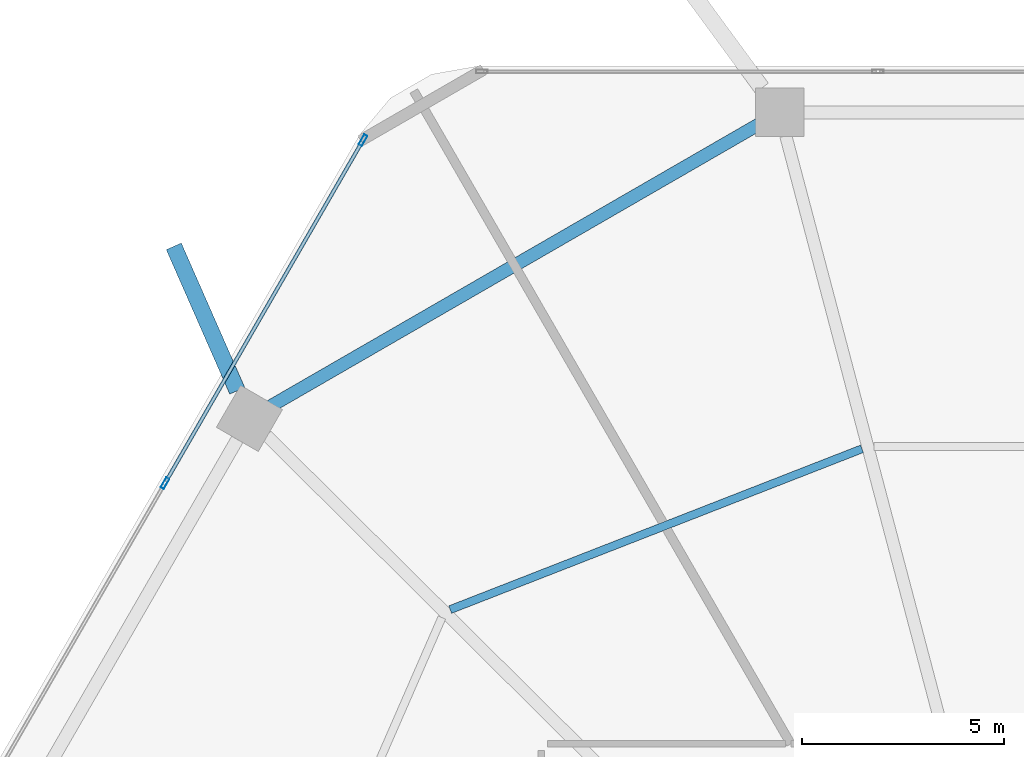
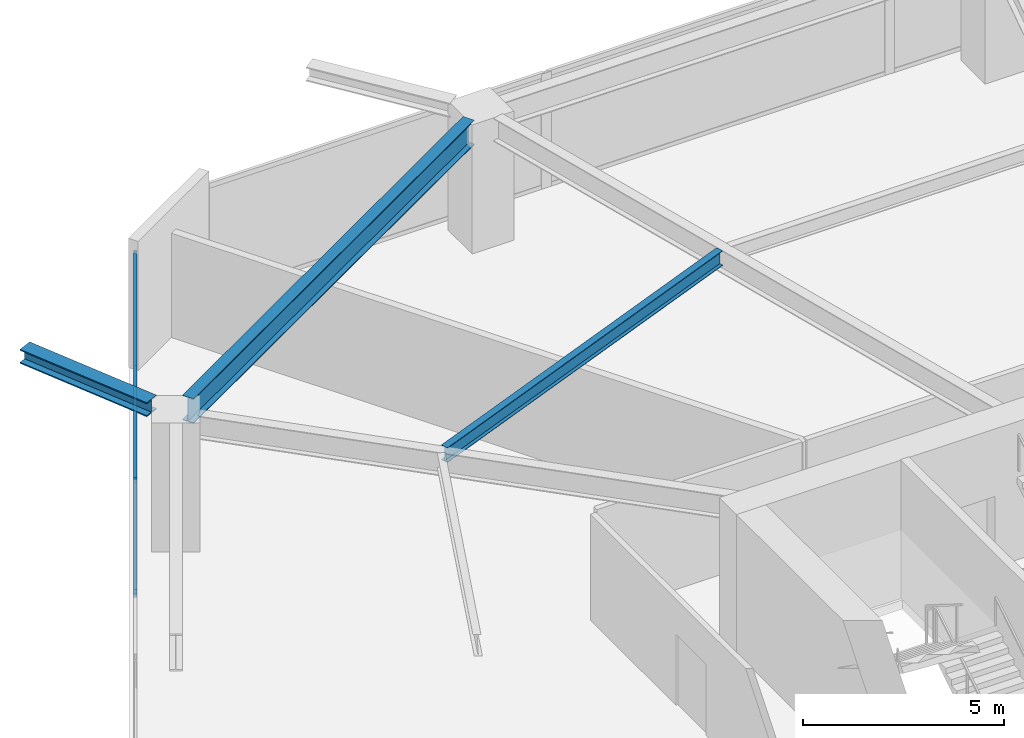
# One storey, part 14 of 25: 4 members, 3 beams, 1 element without a shape of its own.
"""IFC4 building model written with IfcOpenShell, lengths in metres."""

from ifc_helpers import new_model, si_unit, direction, frame, origin, origin_2d, place, context, subcontext, project, spatial, hollow_rectangle, i_section, extrude, material, material_profile, profile_set, type_object, element, aggregate, save


model = new_model("IFC4")

# Units and contexts
model_context = context("Model", 3, precision=1e-05, world=origin(), true_north=direction((0.0, 1.0)))
body_context = subcontext(model_context, "Body", "Model", "MODEL_VIEW")
ifc_project = project(units=[si_unit("LENGTHUNIT", "METRE"), si_unit("AREAUNIT", "SQUARE_METRE"), si_unit("VOLUMEUNIT", "CUBIC_METRE"), si_unit("PLANEANGLEUNIT", "RADIAN"), si_unit("MASSUNIT", "GRAM", prefix="KILO")], contexts=[model_context])

# Site, building, storey
site_placement = place(None, origin())
site = spatial("IfcSite", under=ifc_project, at=site_placement, CompositionType="ELEMENT")
building_placement = place(site_placement, origin())
building = spatial("IfcBuilding", under=site, at=building_placement, Name="Zuhravey Tower", CompositionType="ELEMENT")
storey_placement = place(building_placement, frame((0.0, 0.0, 70.800048828125)))
storey = spatial("IfcBuildingStorey", under=building, at=storey_placement, Name="L17", CompositionType="ELEMENT", Elevation=70.800048828125)

# Curtain wall, members
ifc_material_1 = material(Name="Thermally broken anodised aluminium", Category="aluminium")
curtain_wall_type = type_object("IfcCurtainWallType", Name="School Low-E Unitised Curtain Wall CW1", PredefinedType="NOTDEFINED", material=ifc_material_1)
curtain_wall_placement = place(storey_placement, origin())
curtain_wall = element("IfcCurtainWall", 1, at=curtain_wall_placement, inside=storey, type_object=curtain_wall_type, Name="L17 CW1 CW-L17-F3-1", PredefinedType="NOTDEFINED")
ifc_material_2 = material(Name="Anodised aluminium", Category="aluminium")
ifc_material_profile_1 = material_profile(ifc_material_2, hollow_rectangle(XDim=0.090087890625, YDim=0.284912109375, WallThickness=0.0048828125, at=origin_2d()), Name="ALU-RHS-90x285x5")
ifc_profile_set_1 = profile_set([ifc_material_profile_1], Name="Anodised aluminium")
member_type_1 = type_object("IfcMemberType", Name="Curtain-Wall Mullion 90x180", PredefinedType="MULLION", material=ifc_profile_set_1)
member_1_placement = place(storey_placement, frame((13.387939453125, 50.75146484375, 0.0), z_axis=(0.0, 0.0, 1.0), x_axis=(-0.86602552265, 0.499999794119, 0.0)))
member_1 = element("IfcMember", 2, at=member_1_placement, type_object=member_type_1, Name="CW1 mullion 3", PredefinedType="MULLION", context=body_context, shape_type="SweptSolid", body=[
    extrude(hollow_rectangle(XDim=0.090087890625, YDim=0.284912109375, WallThickness=0.0048828125, at=origin_2d()), origin(), (0.0, 0.0, 1.0), 3.491943359375),
])
member_2_placement = place(storey_placement, frame((18.298583984375, 59.257080078125, 0.0), z_axis=(0.0, 0.0, 1.0), x_axis=(-0.86602552265, 0.499999794119, 0.0)))
member_2 = element("IfcMember", 3, at=member_2_placement, type_object=member_type_1, Name="CW1 mullion 4", PredefinedType="MULLION", context=body_context, shape_type="SweptSolid", body=[
    extrude(hollow_rectangle(XDim=0.090087890625, YDim=0.284912109375, WallThickness=0.0048828125, at=origin_2d()), origin(), (0.0, 0.0, 1.0), 3.491943359375),
])
ifc_material_profile_2 = material_profile(ifc_material_2, hollow_rectangle(XDim=0.090087890625, YDim=0.14990234375, WallThickness=0.0048828125, at=origin_2d()), Name="ALU-RHS-90x150x5")
ifc_profile_set_2 = profile_set([ifc_material_profile_2], Name="Anodised aluminium")
member_type_2 = type_object("IfcMemberType", Name="Curtain-Wall Transom 90x150", PredefinedType="USERDEFINED", material=ifc_profile_set_2)
member_3_placement = place(storey_placement, frame((13.410400390625, 50.79052734375, 0.044921875), z_axis=(0.499989576763, 0.86603142156, 0.0), x_axis=(-0.86603142156, 0.499989576763, 0.0)))
member_3 = element("IfcMember", 4, at=member_3_placement, type_object=member_type_2, Name="CW1 transom 3.1", ObjectType="TRANSOM", PredefinedType="USERDEFINED", context=body_context, shape_type="SweptSolid", body=[
    extrude(hollow_rectangle(XDim=0.090087890625, YDim=0.14990234375, WallThickness=0.0048828125, at=origin_2d()), origin(), (0.0, 0.0, 1.0), 9.731201171875),
])
member_4_placement = place(storey_placement, frame((13.410400390625, 50.79052734375, 3.447021484375), z_axis=(0.499989576763, 0.86603142156, 0.0), x_axis=(-0.86603142156, 0.499989576763, 0.0)))
member_4 = element("IfcMember", 5, at=member_4_placement, type_object=member_type_2, Name="CW1 transom 3.2", ObjectType="TRANSOM", PredefinedType="USERDEFINED", context=body_context, shape_type="SweptSolid", body=[
    extrude(hollow_rectangle(XDim=0.090087890625, YDim=0.14990234375, WallThickness=0.0048828125, at=origin_2d()), origin(), (0.0, 0.0, 1.0), 9.731201171875),
])
aggregate(curtain_wall, [member_1, member_2, member_3, member_4])

# Beams
ifc_material_3 = material(Name="Steel SM460", Category="steel")
ifc_material_profile_3 = material_profile(ifc_material_3, i_section(OverallWidth=0.406982421875, OverallDepth=0.427978515625, WebThickness=0.02001953125, FlangeThickness=0.034912109375, at=origin_2d()), Name="H-428x407x20x35")
ifc_profile_set_3 = profile_set([ifc_material_profile_3], Name="Steel SM460")
beam_type_1 = type_object("IfcBeamType", Name="Exoskeleton Node Tie Beam H428x407", PredefinedType="BEAM", material=ifc_profile_set_3)
beam_1_placement = place(storey_placement, frame((15.179931640625, 53.0419921875, 3.7060546875), z_axis=(-0.402366403128, 0.915478715009, 0.0), x_axis=(-0.915478715009, -0.402366403128, 0.0)))
element("IfcBeam", 6, at=beam_1_placement, inside=storey, type_object=beam_type_1, Name="L17 Exoskeleton Node Tie NT1-05", PredefinedType="BEAM", context=body_context, shape_type="SweptSolid", body=[
    extrude(i_section(OverallWidth=0.406982421875, OverallDepth=0.427978515625, WebThickness=0.02001953125, FlangeThickness=0.034912109375, at=origin_2d()), origin(), (0.0, 0.0, 1.0), 3.9130859375),
])
ifc_material_4 = material(Name="Steel SM355", Category="steel")
ifc_material_profile_4 = material_profile(ifc_material_4, i_section(OverallWidth=0.320068359375, OverallDepth=0.75, WebThickness=0.013916015625, FlangeThickness=0.02490234375, at=origin_2d()), Name="H-750x320x14x25")
ifc_profile_set_4 = profile_set([ifc_material_profile_4], Name="Steel SM355")
beam_type_2 = type_object("IfcBeamType", Name="Perimeter Ring Beam H750x320", PredefinedType="BEAM", material=ifc_profile_set_4)
beam_2_placement = place(storey_placement, frame((28.10791015625, 59.64697265625, 3.544921875), z_axis=(-0.866029969761, -0.499992091414, 0.0), x_axis=(0.499992091414, -0.866029969761, 0.0)))
element("IfcBeam", 7, at=beam_2_placement, inside=storey, type_object=beam_type_2, Name="L17 PB1 BM-L17-PB-04", PredefinedType="BEAM", context=body_context, shape_type="SweptSolid", body=[
    extrude(i_section(OverallWidth=0.320068359375, OverallDepth=0.75, WebThickness=0.013916015625, FlangeThickness=0.02490234375, at=origin_2d()), origin(), (0.0, 0.0, 1.0), 13.977294921875),
])
ifc_material_profile_5 = material_profile(ifc_material_4, i_section(OverallWidth=0.199951171875, OverallDepth=0.449951171875, WebThickness=0.009033203125, FlangeThickness=0.013916015625, at=origin_2d()), Name="H-450x200x9x14")
ifc_profile_set_5 = profile_set([ifc_material_profile_5], Name="Steel SM355")
beam_type_3 = type_object("IfcBeamType", Name="Secondary Floor Joist H450x200", PredefinedType="JOIST", material=ifc_profile_set_5)
beam_3_placement = place(storey_placement, frame((30.67236328125, 51.60302734375, 3.695068359375), z_axis=(-0.931516535886, -0.363698973562, 0.0), x_axis=(0.363698973562, -0.931516535886, 0.0)))
element("IfcBeam", 8, at=beam_3_placement, inside=storey, type_object=beam_type_3, Name="L17 SJ1 BM-L17-SJ-04-1", PredefinedType="JOIST", context=body_context, shape_type="SweptSolid", body=[
    extrude(i_section(OverallWidth=0.199951171875, OverallDepth=0.449951171875, WebThickness=0.009033203125, FlangeThickness=0.013916015625, at=origin_2d()), origin(), (0.0, 0.0, 1.0), 10.963134765625),
])

save(model, "model.ifc")
